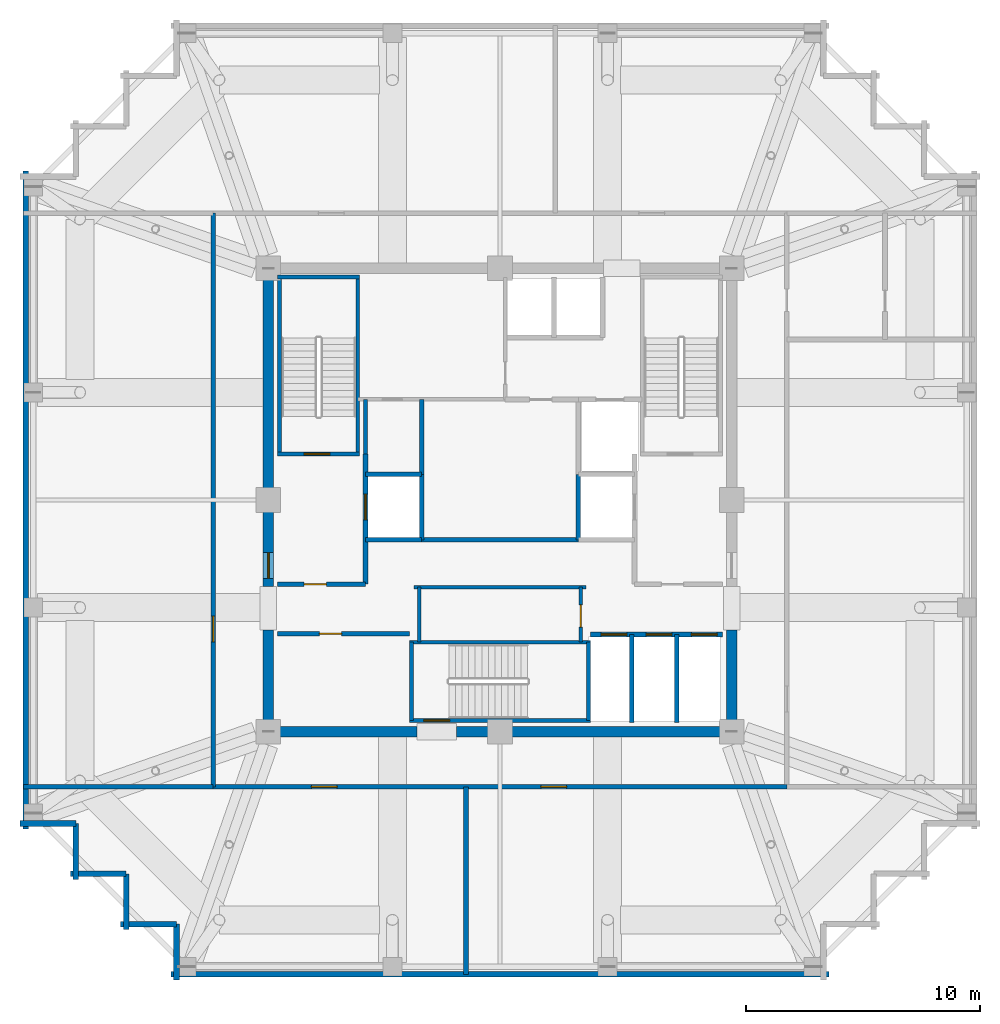
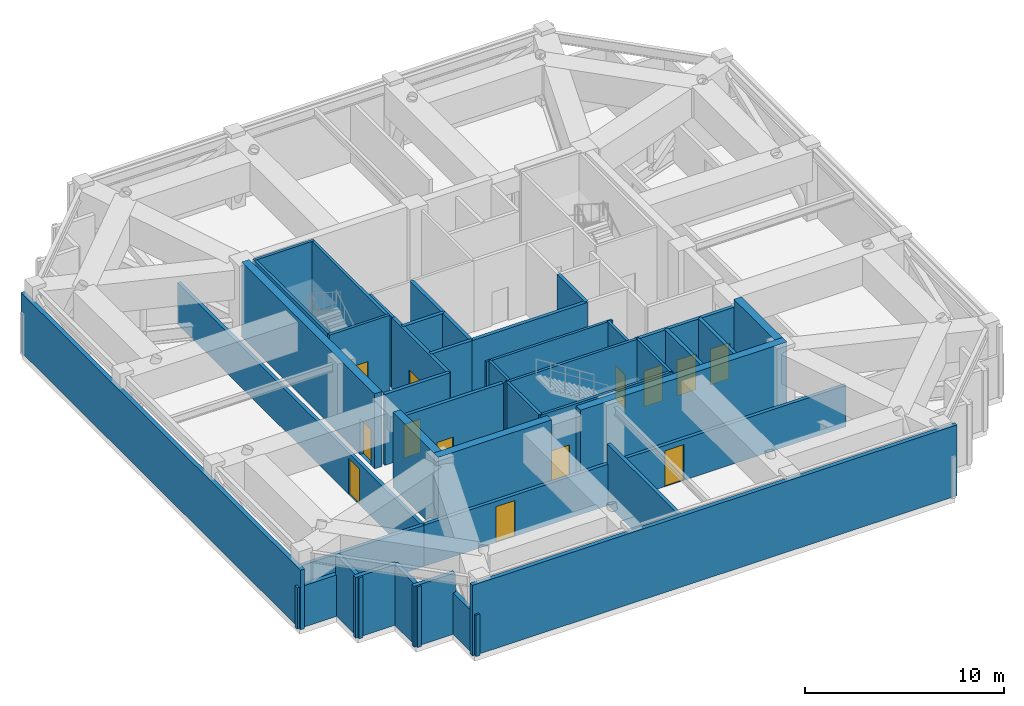
# One storey, part 11 of 14: 41 walls, 13 doors, 13 openings.
"""IFC4 building model written with IfcOpenShell, lengths in metres."""

import ifcopenshell
import ifcopenshell.guid

model = None  # the IFC model being written
_history = None  # IfcOwnerHistory: only IFC2X3 demands one
_inside = {}  # id of a spatial element -> (the spatial element, [elements in it])
_under = {}  # id of a project, library or spatial element -> (it, [spatial elements below it])
_declared = {}  # id of a project -> (the project, [libraries it declares])
_typed = {}  # id of a type object -> (the type object, [elements of that type])
_made_of = {}  # id of a material, layer set ... -> (it, [elements and type objects made of it])


def new_model(schema):
    """Start an empty IFC model of exactly this schema.

    Asked for "IFC4X3", IfcOpenShell would pick the latest addendum, in which some entities
    have other attributes; the version numbers below select the first issue.
    IFC2X3 requires an IfcOwnerHistory on every rooted entity: one is made here for all.
    """
    global model, _history
    if schema == "IFC4X3":
        model = ifcopenshell.file(schema_version=(4, 3, 0, 0))
    else:
        model = ifcopenshell.file(schema=schema)
    _inside.clear()
    _under.clear()
    _declared.clear()
    _typed.clear()
    _made_of.clear()
    _history = None
    if model.schema == "IFC2X3":
        org = make("IfcOrganization", Name="unknown")
        user = make(
            "IfcPersonAndOrganization",
            ThePerson=make("IfcPerson", FamilyName="unknown"),
            TheOrganization=org,
        )
        app = make(
            "IfcApplication",
            ApplicationDeveloper=org,
            Version="unknown",
            ApplicationFullName="unknown",
            ApplicationIdentifier="unknown",
        )
        _history = make(
            "IfcOwnerHistory",
            OwningUser=user,
            OwningApplication=app,
            ChangeAction="ADDED",
            CreationDate=0,
        )
    return model


def make(cls, **values):
    """One entity of the class cls with the attributes given. An attribute that is None is left unset."""
    return model.create_entity(
        cls, **{name: value for name, value in values.items() if value is not None}
    )


def rooted(cls, **values):
    """An entity with a GlobalId (a new one), such as an element, a storey or a relation."""
    return make(cls, GlobalId=ifcopenshell.guid.new(), OwnerHistory=_history, **values)


def si_unit(unit_type, name, prefix=None):
    """IfcSIUnit, for example si_unit("LENGTHUNIT", "METRE", prefix="MILLI")."""
    return make("IfcSIUnit", UnitType=unit_type, Prefix=prefix, Name=name)


def assignment(units):
    """IfcUnitAssignment: the units of a project."""
    return None if units is None else make("IfcUnitAssignment", Units=units)


def point(xyz):
    """IfcCartesianPoint."""
    return None if xyz is None else make("IfcCartesianPoint", Coordinates=xyz)


def direction(xyz):
    """IfcDirection."""
    return None if xyz is None else make("IfcDirection", DirectionRatios=xyz)


def frame(location, z_axis=None, x_axis=None):
    """IfcAxis2Placement3D, a coordinate frame: its origin and axes. An axis left out is left unset."""
    return make(
        "IfcAxis2Placement3D",
        Location=point(location),
        Axis=direction(z_axis),
        RefDirection=direction(x_axis),
    )


def frame_2d(location, x_axis=None):
    """IfcAxis2Placement2D, a coordinate frame in the plane: its origin and x axis."""
    return make(
        "IfcAxis2Placement2D", Location=point(location), RefDirection=direction(x_axis)
    )


def origin():
    """The frame at (0, 0, 0) with its axes left unset."""
    return frame((0.0, 0.0, 0.0))


def place(relative_to, where):
    """IfcLocalPlacement: puts the frame where relative to a parent placement (None: the world)."""
    return make(
        "IfcLocalPlacement", PlacementRelTo=relative_to, RelativePlacement=where
    )


def context(
    kind, dimensions, precision=None, world=None, true_north=None, identifier=None
):
    """IfcGeometricRepresentationContext, for example the 3D "Model" context."""
    return make(
        "IfcGeometricRepresentationContext",
        ContextIdentifier=identifier,
        ContextType=kind,
        CoordinateSpaceDimension=dimensions,
        Precision=precision,
        WorldCoordinateSystem=world,
        TrueNorth=true_north,
    )


def subcontext(parent, identifier, kind, view, scale=None):
    """IfcGeometricRepresentationSubContext, for example "Body" below "Model"."""
    return make(
        "IfcGeometricRepresentationSubContext",
        ContextIdentifier=identifier,
        ContextType=kind,
        ParentContext=parent,
        TargetScale=scale,
        TargetView=view,
    )


def project(units=None, contexts=None):
    """IfcProject with its units and contexts."""
    return rooted(
        "IfcProject",
        Name="project",
        RepresentationContexts=contexts,
        UnitsInContext=assignment(units),
    )


def spatial(cls, under=None, at=None, **own):
    """A site, building, storey or space (cls), placed at a placement, below another one or the project."""
    s = rooted(cls, ObjectPlacement=at, **own)
    if under is not None:
        _under.setdefault(under.id(), (under, []))[1].append(s)
    return s


def profile(cls, at=None, kind="AREA", **sizes):
    """A parametric profile (cls). Its sizes go by their IFC names, for example OverallWidth=200.0."""
    return make(cls, ProfileType=kind, Position=at, **sizes)


def rectangle(**sizes):
    """IfcRectangleProfileDef."""
    return profile("IfcRectangleProfileDef", **sizes)


def extrude(swept, where, along, depth):
    """IfcExtrudedAreaSolid: the profile swept, set in the frame where, extruded along a direction by depth."""
    return make(
        "IfcExtrudedAreaSolid",
        SweptArea=swept,
        Position=where,
        ExtrudedDirection=direction(along),
        Depth=depth,
    )


def shape(context_of_items, identifier, shape_type, items):
    """IfcShapeRepresentation: the items that make up one representation, for example the "Body"."""
    return make(
        "IfcShapeRepresentation",
        ContextOfItems=context_of_items,
        RepresentationIdentifier=identifier,
        RepresentationType=shape_type,
        Items=items,
    )


def material(Name=None, Category=None):
    """IfcMaterial."""
    return make("IfcMaterial", Name=Name, Category=Category)


def layer(
    of_material, thickness, ventilated=None, Name=None, Category=None, Priority=None
):
    """IfcMaterialLayer: one layer of a wall or slab, of a material (None: an air gap)."""
    return make(
        "IfcMaterialLayer",
        Material=of_material,
        LayerThickness=thickness,
        IsVentilated=ventilated,
        Name=Name,
        Category=Category,
        Priority=Priority,
    )


def layer_set(layers, Name=None):
    """IfcMaterialLayerSet."""
    return make("IfcMaterialLayerSet", MaterialLayers=layers, LayerSetName=Name)


def made_of(thing, what):
    """Note that an element or type object is made of a material, layer set ...; save() writes the relation."""
    if what is not None:
        _made_of.setdefault(what.id(), (what, []))[1].append(thing)
    return thing


def type_object(cls, material=None, **own):
    """A type object (cls), such as IfcWallType, which elements share."""
    return made_of(rooted(cls, **own), material)


def element(
    cls,
    number,
    at=None,
    inside=None,
    cuts=None,
    type_object=None,
    material=None,
    context=None,
    identifier="Body",
    shape_type=None,
    held_by="IfcProductDefinitionShape",
    body=None,
    shapes=None,
    **own,
):
    """One element of the class cls, such as IfcWall. Its Tag is "e" and its number.

    at: its placement. inside: the storey or other place that contains it. cuts: it is an
    opening in that element (IfcRelVoidsElement). A single representation is given by context,
    identifier, shape_type and body (its items); several are given by shapes. held_by: the class
    of the entity that holds the representations. save() writes the other relations.
    """
    e = rooted(cls, Tag="e%d" % number, ObjectPlacement=at, **own)
    if body is not None:
        shapes = [shape(context, identifier, shape_type, body)]
    if shapes is not None:
        e.Representation = make(held_by, Representations=shapes)
    if inside is not None:
        _inside.setdefault(inside.id(), (inside, []))[1].append(e)
    if cuts is not None:
        rooted(
            "IfcRelVoidsElement", RelatingBuildingElement=cuts, RelatedOpeningElement=e
        )
    if type_object is not None:
        _typed.setdefault(type_object.id(), (type_object, []))[1].append(e)
    return made_of(e, material)


def fill(opening, filler):
    """IfcRelFillsElement: the door or window that sits in an opening."""
    return rooted(
        "IfcRelFillsElement",
        RelatingOpeningElement=opening,
        RelatedBuildingElement=filler,
    )


def aggregate(whole, parts):
    """IfcRelAggregates: a whole, such as a stair, and the parts it consists of."""
    return rooted("IfcRelAggregates", RelatingObject=whole, RelatedObjects=parts)


def save(model, path):
    """Write the relations noted so far, then the file.

    IfcRelAggregates (storeys below a building ...), IfcRelContainedInSpatialStructure (elements
    in a storey), IfcRelDefinesByType, IfcRelAssociatesMaterial and IfcRelDeclares: one each for
    every whole, place, type object, material and project.
    """
    for whole, parts in _under.values():
        aggregate(whole, parts)
    for where, things in _inside.values():
        rooted(
            "IfcRelContainedInSpatialStructure",
            RelatedElements=things,
            RelatingStructure=where,
        )
    for kind, things in _typed.values():
        rooted("IfcRelDefinesByType", RelatedObjects=things, RelatingType=kind)
    for what, things in _made_of.values():
        rooted("IfcRelAssociatesMaterial", RelatedObjects=things, RelatingMaterial=what)
    for by, libraries in _declared.values():
        rooted("IfcRelDeclares", RelatingContext=by, RelatedDefinitions=libraries)
    model.write(path)


model = new_model("IFC4")

# Units and contexts
model_context = context("Model", 3, precision=1e-05, world=origin(), true_north=direction((0.0, 1.0)))
body_context = subcontext(model_context, "Body", "Model", "MODEL_VIEW")
ifc_project = project(units=[si_unit("LENGTHUNIT", "METRE"), si_unit("AREAUNIT", "SQUARE_METRE"), si_unit("VOLUMEUNIT", "CUBIC_METRE"), si_unit("PLANEANGLEUNIT", "RADIAN"), si_unit("MASSUNIT", "GRAM", prefix="KILO")], contexts=[model_context])

# Site, building, storey
site_placement = place(None, origin())
site = spatial("IfcSite", under=ifc_project, at=site_placement, CompositionType="ELEMENT")
building_placement = place(site_placement, origin())
building = spatial("IfcBuilding", under=site, at=building_placement, Name="Kolvaren Belvedere", CompositionType="ELEMENT")
storey_placement = place(building_placement, frame((0.0, 0.0, 232.800048828125)))
storey = spatial("IfcBuildingStorey", under=building, at=storey_placement, Name="L68", CompositionType="ELEMENT", Elevation=232.800048828125)

# Walls
ifc_material_1 = material(Name="Concrete C50/60", Category="concrete")
ifc_layer_1 = layer(ifc_material_1, 0.449951171875)
ifc_layer_set_1 = layer_set([ifc_layer_1], Name="Concrete C50/60")
wall_type_1 = type_object("IfcWallType", Name="CW-CORE-450", PredefinedType="SHEAR", material=ifc_layer_set_1)
wall_1_placement = place(storey_placement, frame((10.125, -9.89990234375, 0.0), z_axis=(0.0, 0.0, 1.0), x_axis=(-1.0, 0.0, 0.0)))
element("IfcWall", 1, at=wall_1_placement, inside=storey, type_object=wall_type_1, Name="L68 South Core Shear Wall 1", PredefinedType="SHEAR", context=body_context, shape_type="SweptSolid", body=[
    extrude(rectangle(XDim=11.985107421875, YDim=0.449951171875, at=frame_2d((5.99267578125, 0.0))), origin(), (0.0, 0.0, 1.0), 4.599853515625),
])
wall_2_placement = place(storey_placement, frame((-3.5400390625, -9.89990234375, 0.0), z_axis=(0.0, 0.0, 1.0), x_axis=(-1.0, 0.0, 0.0)))
element("IfcWall", 2, at=wall_2_placement, inside=storey, type_object=wall_type_1, Name="L68 South Core Shear Wall 2", PredefinedType="SHEAR", context=body_context, shape_type="SweptSolid", body=[
    extrude(rectangle(XDim=6.5849609375, YDim=0.449951171875, at=frame_2d((3.29248046875, 0.0))), origin(), (0.0, 0.0, 1.0), 4.599853515625),
])
for number, where, z_axis, x_axis, name in (
    (3, (-9.89990234375, -9.675048828125, 0.0), (0.0, 0.0, 1.0), (0.0, 1.0, 0.0), "L68 West Core Shear Wall 1"),
    (4, (9.89990234375, -9.675048828125, 0.0), (0.0, 0.0, 1.0), (0.0, 1.0, 0.0), "L68 East Core Shear Wall 1"),
):
    element("IfcWall", number, at=place(storey_placement, frame(where, z_axis=z_axis, x_axis=x_axis)), inside=storey, type_object=wall_type_1, Name=name, PredefinedType="SHEAR", context=body_context, shape_type="SweptSolid", body=[
        extrude(rectangle(XDim=4.125, YDim=0.449951171875, at=frame_2d((2.0625, 0.0))), origin(), (0.0, 0.0, 1.0), 4.599853515625),
    ])

# Wall, opening, door
wall_3_placement = place(storey_placement, frame((-9.89990234375, -3.699951171875, 0.0), z_axis=(0.0, 0.0, 1.0), x_axis=(0.0, 1.0, 0.0)))
wall_3 = element("IfcWall", 5, at=wall_3_placement, inside=storey, type_object=wall_type_1, Name="L68 West Core Shear Wall 2", PredefinedType="SHEAR", context=body_context, shape_type="SweptSolid", body=[
    extrude(rectangle(XDim=13.375, YDim=0.449951171875, at=frame_2d((6.6875, 0.0))), origin(), (0.0, 0.0, 1.0), 4.599853515625),
])
opening_1_placement = place(wall_3_placement, frame((0.35009765625, 0.0, 0.0)))
opening_1 = element("IfcOpeningElement", 6, at=opening_1_placement, cuts=wall_3, Name="Opening D-FD90", PredefinedType="OPENING", context=body_context, shape_type="SweptSolid", body=[
    extrude(rectangle(XDim=1.10009765625, YDim=2.199951171875, at=frame_2d((0.550048828125, 1.10009765625))), frame((0.0, 0.23486328125, 0.0), z_axis=(0.0, -1.0, 0.0), x_axis=(1.0, 0.0, 0.0)), (0.0, 0.0, 1.0), 0.469970703125),
])
ifc_material_2 = material(Name="Painted hollow stainless steel", Category="steel")
door_type_1 = type_object("IfcDoorType", Name="DR-FD90-1100", OperationType="NOTDEFINED", PredefinedType="DOOR", material=ifc_material_2)
door_1_placement = place(opening_1_placement, origin())
door_1 = element("IfcDoor", 7, at=door_1_placement, inside=storey, type_object=door_type_1, Name="L68 West Firefighting Lobby Fire Door", OperationType="SINGLE_SWING_LEFT", OverallHeight=2.199951171875, OverallWidth=1.10009765625, PredefinedType="DOOR", context=body_context, shape_type="SweptSolid", body=[
    extrude(rectangle(XDim=1.10009765625, YDim=2.199951171875, at=frame_2d((0.550048828125, 1.10009765625))), frame((0.0, 0.02490234375, 0.0), z_axis=(0.0, -1.0, 0.0), x_axis=(1.0, 0.0, 0.0)), (0.0, 0.0, 1.0), 0.050048828125),
])
fill(opening_1, door_1)

ifc_material_3 = material(Name="Concrete C50/60", Category="concrete")
ifc_layer_2 = layer(ifc_material_3, 0.159912109375)
ifc_layer_set_2 = layer_set([ifc_layer_2], Name="Concrete C50/60")
wall_type_2 = type_object("IfcWallType", Name="CW-STAIR-160", PredefinedType="SHEAR", material=ifc_layer_set_2)
wall_4_placement = place(storey_placement, frame((-9.52001953125, 1.969970703125, 0.0), z_axis=(0.0, 0.0, 1.0), x_axis=(1.0, 0.0, 0.0)))
wall_4 = element("IfcWall", 8, at=wall_4_placement, inside=storey, type_object=wall_type_2, Name="L68 Stair ST-1 South Shear Wall", PredefinedType="SHEAR", context=body_context, shape_type="SweptSolid", body=[
    extrude(rectangle(XDim=3.52001953125, YDim=0.159912109375, at=frame_2d((1.760009765625, 0.0))), origin(), (0.0, 0.0, 1.0), 4.599853515625),
])
opening_2_placement = place(wall_4_placement, frame((1.14990234375, 0.0, 0.0)))
opening_2 = element("IfcOpeningElement", 9, at=opening_2_placement, cuts=wall_4, Name="Opening D-FD90", PredefinedType="OPENING", context=body_context, shape_type="SweptSolid", body=[
    extrude(rectangle(XDim=1.10009765625, YDim=2.199951171875, at=frame_2d((0.550048828125, 1.10009765625))), frame((0.0, 0.08984375, 0.0), z_axis=(0.0, -1.0, 0.0), x_axis=(1.0, 0.0, 0.0)), (0.0, 0.0, 1.0), 0.179931640625),
])
door_2_placement = place(opening_2_placement, origin())
door_2 = element("IfcDoor", 10, at=door_2_placement, inside=storey, type_object=door_type_1, Name="L68 Stair ST-1 Fire Door", OperationType="SINGLE_SWING_LEFT", OverallHeight=2.199951171875, OverallWidth=1.10009765625, PredefinedType="DOOR", context=body_context, shape_type="SweptSolid", body=[
    extrude(rectangle(XDim=1.10009765625, YDim=2.199951171875, at=frame_2d((0.550048828125, 1.10009765625))), frame((0.0, 0.02490234375, 0.0), z_axis=(0.0, -1.0, 0.0), x_axis=(1.0, 0.0, 0.0)), (0.0, 0.0, 1.0), 0.050048828125),
])
fill(opening_2, door_2)

# Walls
wall_5_placement = place(storey_placement, frame((-9.52001953125, 9.530029296875, 0.0), z_axis=(0.0, 0.0, 1.0), x_axis=(1.0, 0.0, 0.0)))
element("IfcWall", 11, at=wall_5_placement, inside=storey, type_object=wall_type_2, Name="L68 Stair ST-1 North Shear Wall", PredefinedType="SHEAR", context=body_context, shape_type="SweptSolid", body=[
    extrude(rectangle(XDim=3.52001953125, YDim=0.159912109375, at=frame_2d((1.760009765625, 0.0))), origin(), (0.0, 0.0, 1.0), 4.599853515625),
])
for number, where, z_axis, x_axis, name in (
    (12, (-9.429931640625, 1.969970703125, 0.0), (0.0, 0.0, 1.0), (0.0, 1.0, 0.0), "L68 Stair ST-1 West Shear Wall"),
    (13, (-6.080078125, 1.969970703125, 0.0), (0.0, 0.0, 1.0), (0.0, 1.0, 0.0), "L68 Stair ST-1 East Shear Wall"),
):
    element("IfcWall", number, at=place(storey_placement, frame(where, z_axis=z_axis, x_axis=x_axis)), inside=storey, type_object=wall_type_2, Name=name, PredefinedType="SHEAR", context=body_context, shape_type="SweptSolid", body=[
        extrude(rectangle(XDim=7.56005859375, YDim=0.159912109375, at=frame_2d((3.780029296875, 0.0))), origin(), (0.0, 0.0, 1.0), 4.599853515625),
    ])

# Wall, opening, door
wall_6_placement = place(storey_placement, frame((3.860107421875, -9.429931640625, 0.0), z_axis=(0.0, 0.0, 1.0), x_axis=(-1.0, 0.0, 0.0)))
wall_6 = element("IfcWall", 14, at=wall_6_placement, inside=storey, type_object=wall_type_2, Name="L68 Stair ST-3 South Shear Wall", PredefinedType="SHEAR", context=body_context, shape_type="SweptSolid", body=[
    extrude(rectangle(XDim=7.72021484375, YDim=0.159912109375, at=frame_2d((3.860107421875, 0.0))), origin(), (0.0, 0.0, 1.0), 4.599853515625),
])
opening_3_placement = place(wall_6_placement, frame((6.010009765625, 0.0, 0.0)))
opening_3 = element("IfcOpeningElement", 15, at=opening_3_placement, cuts=wall_6, Name="Opening D-FD90", PredefinedType="OPENING", context=body_context, shape_type="SweptSolid", body=[
    extrude(rectangle(XDim=1.10009765625, YDim=2.199951171875, at=frame_2d((0.550048828125, 1.10009765625))), frame((0.0, 0.08984375, 0.0), z_axis=(0.0, -1.0, 0.0), x_axis=(1.0, 0.0, 0.0)), (0.0, 0.0, 1.0), 0.179931640625),
])
door_3_placement = place(opening_3_placement, origin())
door_3 = element("IfcDoor", 16, at=door_3_placement, inside=storey, type_object=door_type_1, Name="L68 Stair ST-3 Exit Door", OperationType="SINGLE_SWING_RIGHT", OverallHeight=2.199951171875, OverallWidth=1.10009765625, PredefinedType="DOOR", context=body_context, shape_type="SweptSolid", body=[
    extrude(rectangle(XDim=1.10009765625, YDim=2.199951171875, at=frame_2d((0.550048828125, 1.10009765625))), frame((0.0, 0.02490234375, 0.0), z_axis=(0.0, -1.0, 0.0), x_axis=(1.0, 0.0, 0.0)), (0.0, 0.0, 1.0), 0.050048828125),
])
fill(opening_3, door_3)

# Walls
wall_7_placement = place(storey_placement, frame((-3.860107421875, -6.080078125, 0.0), z_axis=(0.0, 0.0, 1.0), x_axis=(1.0, 0.0, 0.0)))
element("IfcWall", 17, at=wall_7_placement, inside=storey, type_object=wall_type_2, Name="L68 Stair ST-3 North Shear Wall", PredefinedType="SHEAR", context=body_context, shape_type="SweptSolid", body=[
    extrude(rectangle(XDim=7.72021484375, YDim=0.159912109375, at=frame_2d((3.860107421875, 0.0))), origin(), (0.0, 0.0, 1.0), 4.599853515625),
])
for number, where, z_axis, x_axis, name in (
    (18, (-3.780029296875, -9.429931640625, 0.0), (0.0, 0.0, 1.0), (0.0, 1.0, 0.0), "L68 Stair ST-3 West Shear Wall"),
    (19, (3.780029296875, -9.429931640625, 0.0), (0.0, 0.0, 1.0), (0.0, 1.0, 0.0), "L68 Stair ST-3 East Shear Wall"),
):
    element("IfcWall", number, at=place(storey_placement, frame(where, z_axis=z_axis, x_axis=x_axis)), inside=storey, type_object=wall_type_2, Name=name, PredefinedType="SHEAR", context=body_context, shape_type="SweptSolid", body=[
        extrude(rectangle(XDim=3.349853515625, YDim=0.159912109375, at=frame_2d((1.6748046875, 0.0))), origin(), (0.0, 0.0, 1.0), 4.599853515625),
    ])
ifc_material_4 = material(Name="Insulated acoustic pale-metal louvre wall", Category="aluminium")
ifc_layer_3 = layer(ifc_material_4, 0.239990234375)
ifc_layer_set_3 = layer_set([ifc_layer_3], Name="Insulated acoustic pale-metal louvre wall")
wall_type_3 = type_object("IfcWallType", Name="WL-LOUV-240", PredefinedType="STANDARD", material=ifc_layer_set_3)
wall_8_placement = place(storey_placement, frame((14.070068359375, -20.280029296875, 0.0), z_axis=(0.0, 0.0, 1.0), x_axis=(-1.0, 0.0, 0.0)))
element("IfcWall", 20, at=wall_8_placement, inside=storey, type_object=wall_type_3, Name="L68 Acoustic Louvre Facade Wall 1", PredefinedType="STANDARD", context=body_context, shape_type="SweptSolid", body=[
    extrude(rectangle(XDim=28.14013671875, YDim=0.239990234375, at=frame_2d((14.070068359375, 0.0))), origin(), (0.0, 0.0, 1.0), 4.349853515625),
])
wall_9_placement = place(storey_placement, frame((-20.280029296875, -14.070068359375, 0.0), z_axis=(0.0, 0.0, 1.0), x_axis=(0.0, 1.0, 0.0)))
element("IfcWall", 21, at=wall_9_placement, inside=storey, type_object=wall_type_3, Name="L68 Acoustic Louvre Facade Wall 22", PredefinedType="STANDARD", context=body_context, shape_type="SweptSolid", body=[
    extrude(rectangle(XDim=28.14013671875, YDim=0.239990234375, at=frame_2d((14.070068359375, 0.0))), origin(), (0.0, 0.0, 1.0), 3.64892578125),
])
wall_10_placement = place(storey_placement, frame((-18.1298828125, -13.830078125, 0.0), z_axis=(0.0, 0.0, 1.0), x_axis=(-1.0, 0.0, 0.0)))
element("IfcWall", 22, at=wall_10_placement, inside=storey, type_object=wall_type_3, Name="L68 Acoustic Louvre Facade Wall 23", PredefinedType="STANDARD", context=body_context, shape_type="SweptSolid", body=[
    extrude(rectangle(XDim=2.39013671875, YDim=0.239990234375, at=frame_2d((1.195068359375, 0.0))), origin(), (0.0, 0.0, 1.0), 2.544921875),
])
wall_11_placement = place(storey_placement, frame((-18.1298828125, -16.219970703125, 0.0), z_axis=(0.0, 0.0, 1.0), x_axis=(0.0, 1.0, 0.0)))
element("IfcWall", 23, at=wall_11_placement, inside=storey, type_object=wall_type_3, Name="L68 Acoustic Louvre Facade Wall 24", PredefinedType="STANDARD", context=body_context, shape_type="SweptSolid", body=[
    extrude(rectangle(XDim=2.389892578125, YDim=0.239990234375, at=frame_2d((1.19482421875, 0.0))), origin(), (0.0, 0.0, 1.0), 3.73291015625),
])
for number, where, z_axis, x_axis, name in (
    (24, (-15.97998046875, -15.97998046875, 0.0), (0.0, 0.0, 1.0), (-1.0, 0.0, 0.0), "L68 Acoustic Louvre Facade Wall 25"),
    (25, (-15.97998046875, -18.3701171875, 0.0), (0.0, 0.0, 1.0), (0.0, 1.0, 0.0), "L68 Acoustic Louvre Facade Wall 26"),
):
    element("IfcWall", number, at=place(storey_placement, frame(where, z_axis=z_axis, x_axis=x_axis)), inside=storey, type_object=wall_type_3, Name=name, PredefinedType="STANDARD", context=body_context, shape_type="SweptSolid", body=[
        extrude(rectangle(XDim=2.39013671875, YDim=0.239990234375, at=frame_2d((1.195068359375, 0.0))), origin(), (0.0, 0.0, 1.0), 3.73291015625),
    ])
wall_12_placement = place(storey_placement, frame((-13.830078125, -18.1298828125, 0.0), z_axis=(0.0, 0.0, 1.0), x_axis=(-1.0, 0.0, 0.0)))
element("IfcWall", 26, at=wall_12_placement, inside=storey, type_object=wall_type_3, Name="L68 Acoustic Louvre Facade Wall 27", PredefinedType="STANDARD", context=body_context, shape_type="SweptSolid", body=[
    extrude(rectangle(XDim=2.389892578125, YDim=0.239990234375, at=frame_2d((1.19482421875, 0.0))), origin(), (0.0, 0.0, 1.0), 3.73291015625),
])
wall_13_placement = place(storey_placement, frame((-13.830078125, -20.52001953125, 0.0), z_axis=(0.0, 0.0, 1.0), x_axis=(0.0, 1.0, 0.0)))
element("IfcWall", 27, at=wall_13_placement, inside=storey, type_object=wall_type_3, Name="L68 Acoustic Louvre Facade Wall 28", PredefinedType="STANDARD", context=body_context, shape_type="SweptSolid", body=[
    extrude(rectangle(XDim=2.39013671875, YDim=0.239990234375, at=frame_2d((1.195068359375, 0.0))), origin(), (0.0, 0.0, 1.0), 2.544921875),
])
ifc_material_5 = material(Name="Gypsum acoustic partition assembly", Category="gypsum")
ifc_layer_4 = layer(ifc_material_5, 0.14990234375)
ifc_layer_set_4 = layer_set([ifc_layer_4], Name="Gypsum acoustic partition assembly")
wall_type_4 = type_object("IfcWallType", Name="WL-PART-150", PredefinedType="PARTITIONING", material=ifc_layer_set_4)
wall_14_placement = place(storey_placement, frame((-3.679931640625, -3.719970703125, 0.0), z_axis=(0.0, 0.0, 1.0), x_axis=(1.0, 0.0, 0.0)))
element("IfcWall", 28, at=wall_14_placement, inside=storey, type_object=wall_type_4, Name="L68 South Core Service North Wall", PredefinedType="PARTITIONING", context=body_context, shape_type="SweptSolid", body=[
    extrude(rectangle(XDim=7.35986328125, YDim=0.14990234375, at=frame_2d((3.679931640625, 0.0))), origin(), (0.0, 0.0, 1.0), 4.349853515625),
])

# Wall, opening, door
wall_15_placement = place(storey_placement, frame((3.449951171875, -6.080078125, 0.0), z_axis=(0.0, 0.0, 1.0), x_axis=(0.0, 1.0, 0.0)))
wall_15 = element("IfcWall", 29, at=wall_15_placement, inside=storey, type_object=wall_type_4, Name="L68 South Core Service East Wall", PredefinedType="PARTITIONING", context=body_context, shape_type="SweptSolid", body=[
    extrude(rectangle(XDim=2.360107421875, YDim=0.14990234375, at=frame_2d((1.18017578125, 0.0))), origin(), (0.0, 0.0, 1.0), 4.349853515625),
])
opening_4_placement = place(wall_15_placement, frame((0.64990234375, 0.0, 0.0)))
opening_4 = element("IfcOpeningElement", 30, at=opening_4_placement, cuts=wall_15, Name="Opening D-FD60", PredefinedType="OPENING", context=body_context, shape_type="SweptSolid", body=[
    extrude(rectangle(XDim=0.949951171875, YDim=2.06005859375, at=frame_2d((0.47509765625, 1.030029296875))), frame((0.0, 0.0849609375, 0.0), z_axis=(0.0, -1.0, 0.0), x_axis=(1.0, 0.0, 0.0)), (0.0, 0.0, 1.0), 0.169921875),
])
ifc_material_6 = material(Name="Acoustic white-oak fire door leaf", Category="timber")
door_type_2 = type_object("IfcDoorType", Name="DR-FD60-950", OperationType="NOTDEFINED", PredefinedType="DOOR", material=ifc_material_6)
door_4_placement = place(opening_4_placement, origin())
door_4 = element("IfcDoor", 31, at=door_4_placement, inside=storey, type_object=door_type_2, Name="L68 Core Service Room Door", OperationType="SINGLE_SWING_LEFT", OverallHeight=2.06005859375, OverallWidth=0.949951171875, PredefinedType="DOOR", context=body_context, shape_type="SweptSolid", body=[
    extrude(rectangle(XDim=0.949951171875, YDim=2.06005859375, at=frame_2d((0.47509765625, 1.030029296875))), frame((0.0, 0.02490234375, 0.0), z_axis=(0.0, -1.0, 0.0), x_axis=(1.0, 0.0, 0.0)), (0.0, 0.0, 1.0), 0.050048828125),
])
fill(opening_4, door_4)

# Walls
wall_16_placement = place(storey_placement, frame((-3.449951171875, -6.080078125, 0.0), z_axis=(0.0, 0.0, 1.0), x_axis=(0.0, 1.0, 0.0)))
element("IfcWall", 32, at=wall_16_placement, inside=storey, type_object=wall_type_4, Name="L68 South Core Service West Wall", PredefinedType="PARTITIONING", context=body_context, shape_type="SweptSolid", body=[
    extrude(rectangle(XDim=2.360107421875, YDim=0.14990234375, at=frame_2d((1.18017578125, 0.0))), origin(), (0.0, 0.0, 1.0), 4.349853515625),
])
wall_17_placement = place(storey_placement, frame((-5.75, 1.969970703125, 0.0), z_axis=(0.0, 0.0, 1.0), x_axis=(0.0, 1.0, 0.0)))
element("IfcWall", 33, at=wall_17_placement, inside=storey, type_object=wall_type_4, Name="L68 NW Service Room West Wall", PredefinedType="PARTITIONING", context=body_context, shape_type="SweptSolid", body=[
    extrude(rectangle(XDim=2.330078125, YDim=0.14990234375, at=frame_2d((1.1650390625, 0.0))), origin(), (0.0, 0.0, 1.0), 4.349853515625),
])

# Wall, opening, door
ifc_material_7 = material(Name="Concrete C50/60", Category="concrete")
ifc_layer_5 = layer(ifc_material_7, 0.199951171875)
ifc_layer_set_5 = layer_set([ifc_layer_5], Name="Concrete C50/60")
wall_type_5 = type_object("IfcWallType", Name="WL-SHAFT-200", PredefinedType="SOLIDWALL", material=ifc_layer_set_5)
wall_18_placement = place(storey_placement, frame((-9.52001953125, -3.60009765625, 0.0), z_axis=(0.0, 0.0, 1.0), x_axis=(1.0, 0.0, 0.0)))
wall_18 = element("IfcWall", 34, at=wall_18_placement, inside=storey, type_object=wall_type_5, Name="L68 West FSAE Lobby South Wall", PredefinedType="SOLIDWALL", context=body_context, shape_type="SweptSolid", body=[
    extrude(rectangle(XDim=3.77001953125, YDim=0.199951171875, at=frame_2d((1.885009765625, 0.0))), origin(), (0.0, 0.0, 1.0), 4.349853515625),
])
opening_5_placement = place(wall_18_placement, frame((1.14990234375, 0.0, 0.0)))
opening_5 = element("IfcOpeningElement", 35, at=opening_5_placement, cuts=wall_18, Name="Opening D-FD60", PredefinedType="OPENING", context=body_context, shape_type="SweptSolid", body=[
    extrude(rectangle(XDim=0.949951171875, YDim=2.06005859375, at=frame_2d((0.47509765625, 1.030029296875))), frame((0.0, 0.10986328125, 0.0), z_axis=(0.0, -1.0, 0.0), x_axis=(1.0, 0.0, 0.0)), (0.0, 0.0, 1.0), 0.219970703125),
])
door_5_placement = place(opening_5_placement, origin())
door_5 = element("IfcDoor", 36, at=door_5_placement, inside=storey, type_object=door_type_2, Name="L68 SW Lobby Fire Door", OperationType="SINGLE_SWING_LEFT", OverallHeight=2.06005859375, OverallWidth=0.949951171875, PredefinedType="DOOR", context=body_context, shape_type="SweptSolid", body=[
    extrude(rectangle(XDim=0.949951171875, YDim=2.06005859375, at=frame_2d((0.47509765625, 1.030029296875))), frame((0.0, 0.02490234375, 0.0), z_axis=(0.0, -1.0, 0.0), x_axis=(1.0, 0.0, 0.0)), (0.0, 0.0, 1.0), 0.050048828125),
])
fill(opening_5, door_5)

wall_19_placement = place(storey_placement, frame((-5.75, -3.60009765625, 0.0), z_axis=(0.0, 0.0, 1.0), x_axis=(0.0, 1.0, 0.0)))
wall_19 = element("IfcWall", 37, at=wall_19_placement, inside=storey, type_object=wall_type_5, Name="L68 FSAE FS1 Landing Wall", PredefinedType="SOLIDWALL", context=body_context, shape_type="SweptSolid", body=[
    extrude(rectangle(XDim=5.570068359375, YDim=0.199951171875, at=frame_2d((2.78515625, 0.0))), origin(), (0.0, 0.0, 1.0), 4.349853515625),
])
opening_6_placement = place(wall_19_placement, frame((2.75, 0.0, 0.0)))
opening_6 = element("IfcOpeningElement", 38, at=opening_6_placement, cuts=wall_19, Name="Opening LD-11", PredefinedType="OPENING", context=body_context, shape_type="SweptSolid", body=[
    extrude(rectangle(XDim=1.10009765625, YDim=2.199951171875, at=frame_2d((0.550048828125, 1.10009765625))), frame((0.0, 0.10986328125, 0.0), z_axis=(0.0, -1.0, 0.0), x_axis=(1.0, 0.0, 0.0)), (0.0, 0.0, 1.0), 0.219970703125),
])
ifc_material_8 = material(Name="Brushed stainless steel", Category="steel")
door_type_3 = type_object("IfcDoorType", Name="DR-LIFT-1100", OperationType="DOUBLE_DOOR_SLIDING", PredefinedType="DOOR", material=ifc_material_8)
door_6_placement = place(opening_6_placement, origin())
door_6 = element("IfcDoor", 39, at=door_6_placement, inside=storey, type_object=door_type_3, Name="L68 Firefighting Lift FS1 Landing Door", OperationType="DOUBLE_DOOR_SLIDING", OverallHeight=2.199951171875, OverallWidth=1.10009765625, PredefinedType="DOOR", context=body_context, shape_type="SweptSolid", body=[
    extrude(rectangle(XDim=1.10009765625, YDim=2.199951171875, at=frame_2d((0.550048828125, 1.10009765625))), frame((0.0, 0.02490234375, 0.0), z_axis=(0.0, -1.0, 0.0), x_axis=(1.0, 0.0, 0.0)), (0.0, 0.0, 1.0), 0.050048828125),
])
fill(opening_6, door_6)

# Walls
wall_20_placement = place(storey_placement, frame((-3.35009765625, -1.699951171875, 0.0), z_axis=(0.0, 0.0, 1.0), x_axis=(0.0, 1.0, 0.0)))
element("IfcWall", 40, at=wall_20_placement, inside=storey, type_object=wall_type_5, Name="L68 FSAE FS1 Back Wall", PredefinedType="SOLIDWALL", context=body_context, shape_type="SweptSolid", body=[
    extrude(rectangle(XDim=2.800048828125, YDim=0.199951171875, at=frame_2d((1.39990234375, 0.0))), origin(), (0.0, 0.0, 1.0), 4.349853515625),
])
for number, where, z_axis, x_axis, name in (
    (41, (-5.75, -1.699951171875, 0.0), (0.0, 0.0, 1.0), (1.0, 0.0, 0.0), "L68 FSAE FS1 South Wall"),
    (42, (-5.75, 1.10009765625, 0.0), (0.0, 0.0, 1.0), (1.0, 0.0, 0.0), "L68 FSAE FS1 North Wall"),
):
    element("IfcWall", number, at=place(storey_placement, frame(where, z_axis=z_axis, x_axis=x_axis)), inside=storey, type_object=wall_type_5, Name=name, PredefinedType="SOLIDWALL", context=body_context, shape_type="SweptSolid", body=[
        extrude(rectangle(XDim=2.39990234375, YDim=0.199951171875, at=frame_2d((1.199951171875, 0.0))), origin(), (0.0, 0.0, 1.0), 4.349853515625),
    ])
wall_21_placement = place(storey_placement, frame((3.35009765625, -1.699951171875, 0.0), z_axis=(0.0, 0.0, 1.0), x_axis=(0.0, 1.0, 0.0)))
element("IfcWall", 43, at=wall_21_placement, inside=storey, type_object=wall_type_5, Name="L68 FSAE FS2 Back Wall", PredefinedType="SOLIDWALL", context=body_context, shape_type="SweptSolid", body=[
    extrude(rectangle(XDim=2.800048828125, YDim=0.199951171875, at=frame_2d((1.39990234375, 0.0))), origin(), (0.0, 0.0, 1.0), 4.349853515625),
])

# Wall, opening, door
wall_22_placement = place(storey_placement, frame((-9.52001953125, -5.719970703125, 0.0), z_axis=(0.0, 0.0, 1.0), x_axis=(1.0, 0.0, 0.0)))
wall_22 = element("IfcWall", 44, at=wall_22_placement, inside=storey, type_object=wall_type_5, Name="L68 Reclaimed Mid Room North Wall", PredefinedType="SOLIDWALL", context=body_context, shape_type="SweptSolid", body=[
    extrude(rectangle(XDim=5.659912109375, YDim=0.199951171875, at=frame_2d((2.830078125, 0.0))), origin(), (0.0, 0.0, 1.0), 4.349853515625),
])
opening_7_placement = place(wall_22_placement, frame((1.800048828125, 0.0, 0.0)))
opening_7 = element("IfcOpeningElement", 45, at=opening_7_placement, cuts=wall_22, Name="Opening D-FD60", PredefinedType="OPENING", context=body_context, shape_type="SweptSolid", body=[
    extrude(rectangle(XDim=0.949951171875, YDim=2.06005859375, at=frame_2d((0.47509765625, 1.030029296875))), frame((0.0, 0.10986328125, 0.0), z_axis=(0.0, -1.0, 0.0), x_axis=(1.0, 0.0, 0.0)), (0.0, 0.0, 1.0), 0.219970703125),
])
door_7_placement = place(opening_7_placement, origin())
door_7 = element("IfcDoor", 46, at=door_7_placement, inside=storey, type_object=door_type_2, Name="L68 Smoke Control Mechanical Plant Entry Door", OperationType="SINGLE_SWING_LEFT", OverallHeight=2.06005859375, OverallWidth=0.949951171875, PredefinedType="DOOR", context=body_context, shape_type="SweptSolid", body=[
    extrude(rectangle(XDim=0.949951171875, YDim=2.06005859375, at=frame_2d((0.47509765625, 1.030029296875))), frame((0.0, 0.02490234375, 0.0), z_axis=(0.0, -1.0, 0.0), x_axis=(1.0, 0.0, 0.0)), (0.0, 0.0, 1.0), 0.050048828125),
])
fill(opening_7, door_7)

# Wall, openings, doors
wall_23_placement = place(storey_placement, frame((3.860107421875, -5.75, 0.0), z_axis=(0.0, 0.0, 1.0), x_axis=(1.0, 0.0, 0.0)))
wall_23 = element("IfcWall", 47, at=wall_23_placement, inside=storey, type_object=wall_type_5, Name="L68 High-Rise Lift Bank Front Wall", PredefinedType="SOLIDWALL", context=body_context, shape_type="SweptSolid", body=[
    extrude(rectangle(XDim=5.659912109375, YDim=0.199951171875, at=frame_2d((2.830078125, 0.0))), origin(), (0.0, 0.0, 1.0), 4.349853515625),
])
opening_8_placement = place(wall_23_placement, frame((0.4599609375, 0.0, 0.0)))
opening_8 = element("IfcOpeningElement", 48, at=opening_8_placement, cuts=wall_23, Name="Opening LD-11", PredefinedType="OPENING", context=body_context, shape_type="SweptSolid", body=[
    extrude(rectangle(XDim=1.10009765625, YDim=2.199951171875, at=frame_2d((0.550048828125, 1.10009765625))), frame((0.0, 0.10986328125, 0.0), z_axis=(0.0, -1.0, 0.0), x_axis=(1.0, 0.0, 0.0)), (0.0, 0.0, 1.0), 0.219970703125),
])
opening_9_placement = place(wall_23_placement, frame((2.389892578125, 0.0, 0.0)))
opening_9 = element("IfcOpeningElement", 49, at=opening_9_placement, cuts=wall_23, Name="Opening LD-11", PredefinedType="OPENING", context=body_context, shape_type="SweptSolid", body=[
    extrude(rectangle(XDim=1.10009765625, YDim=2.199951171875, at=frame_2d((0.550048828125, 1.10009765625))), frame((0.0, 0.10986328125, 0.0), z_axis=(0.0, -1.0, 0.0), x_axis=(1.0, 0.0, 0.0)), (0.0, 0.0, 1.0), 0.219970703125),
])
opening_10_placement = place(wall_23_placement, frame((4.320068359375, 0.0, 0.0)))
opening_10 = element("IfcOpeningElement", 50, at=opening_10_placement, cuts=wall_23, Name="Opening LD-11", PredefinedType="OPENING", context=body_context, shape_type="SweptSolid", body=[
    extrude(rectangle(XDim=1.10009765625, YDim=2.199951171875, at=frame_2d((0.550048828125, 1.10009765625))), frame((0.0, 0.10986328125, 0.0), z_axis=(0.0, -1.0, 0.0), x_axis=(1.0, 0.0, 0.0)), (0.0, 0.0, 1.0), 0.219970703125),
])
door_8_placement = place(opening_8_placement, origin())
door_8 = element("IfcDoor", 51, at=door_8_placement, inside=storey, type_object=door_type_3, Name="L68 Passenger Lift P7 Landing Door", OperationType="DOUBLE_DOOR_SLIDING", OverallHeight=2.199951171875, OverallWidth=1.10009765625, PredefinedType="DOOR", context=body_context, shape_type="SweptSolid", body=[
    extrude(rectangle(XDim=1.10009765625, YDim=2.199951171875, at=frame_2d((0.550048828125, 1.10009765625))), frame((0.0, 0.02490234375, 0.0), z_axis=(0.0, -1.0, 0.0), x_axis=(1.0, 0.0, 0.0)), (0.0, 0.0, 1.0), 0.050048828125),
])
fill(opening_8, door_8)
door_9_placement = place(opening_9_placement, origin())
door_9 = element("IfcDoor", 52, at=door_9_placement, inside=storey, type_object=door_type_3, Name="L68 Passenger Lift P8 Landing Door", OperationType="DOUBLE_DOOR_SLIDING", OverallHeight=2.199951171875, OverallWidth=1.10009765625, PredefinedType="DOOR", context=body_context, shape_type="SweptSolid", body=[
    extrude(rectangle(XDim=1.10009765625, YDim=2.199951171875, at=frame_2d((0.550048828125, 1.10009765625))), frame((0.0, 0.02490234375, 0.0), z_axis=(0.0, -1.0, 0.0), x_axis=(1.0, 0.0, 0.0)), (0.0, 0.0, 1.0), 0.050048828125),
])
fill(opening_9, door_9)
door_10_placement = place(opening_10_placement, origin())
door_10 = element("IfcDoor", 53, at=door_10_placement, inside=storey, type_object=door_type_3, Name="L68 Passenger Lift P9 Landing Door", OperationType="DOUBLE_DOOR_SLIDING", OverallHeight=2.199951171875, OverallWidth=1.10009765625, PredefinedType="DOOR", context=body_context, shape_type="SweptSolid", body=[
    extrude(rectangle(XDim=1.10009765625, YDim=2.199951171875, at=frame_2d((0.550048828125, 1.10009765625))), frame((0.0, 0.02490234375, 0.0), z_axis=(0.0, -1.0, 0.0), x_axis=(1.0, 0.0, 0.0)), (0.0, 0.0, 1.0), 0.050048828125),
])
fill(opening_10, door_10)

# Walls
for number, where, z_axis, x_axis, name in (
    (54, (5.6298828125, -9.52001953125, 0.0), (0.0, 0.0, 1.0), (0.0, 1.0, 0.0), "L68 High-Rise Hoistway Divider 1"),
    (55, (7.56005859375, -9.52001953125, 0.0), (0.0, 0.0, 1.0), (0.0, 1.0, 0.0), "L68 High-Rise Hoistway Divider 2"),
):
    element("IfcWall", number, at=place(storey_placement, frame(where, z_axis=z_axis, x_axis=x_axis)), inside=storey, type_object=wall_type_5, Name=name, PredefinedType="SOLIDWALL", context=body_context, shape_type="SweptSolid", body=[
        extrude(rectangle(XDim=3.77001953125, YDim=0.199951171875, at=frame_2d((1.885009765625, 0.0))), origin(), (0.0, 0.0, 1.0), 4.349853515625),
    ])
wall_24_placement = place(storey_placement, frame((-3.35009765625, -1.699951171875, 0.0), z_axis=(0.0, 0.0, 1.0), x_axis=(1.0, 0.0, 0.0)))
element("IfcWall", 56, at=wall_24_placement, inside=storey, type_object=wall_type_5, Name="L68 Central Core Room South Wall", PredefinedType="SOLIDWALL", context=body_context, shape_type="SweptSolid", body=[
    extrude(rectangle(XDim=6.7001953125, YDim=0.199951171875, at=frame_2d((3.35009765625, 0.0))), origin(), (0.0, 0.0, 1.0), 4.349853515625),
])
wall_25_placement = place(storey_placement, frame((-3.35009765625, 1.10009765625, 0.0), z_axis=(0.0, 0.0, 1.0), x_axis=(0.0, 1.0, 0.0)))
element("IfcWall", 57, at=wall_25_placement, inside=storey, type_object=wall_type_5, Name="L68 Central Core Room West Wall", PredefinedType="SOLIDWALL", context=body_context, shape_type="SweptSolid", body=[
    extrude(rectangle(XDim=3.199951171875, YDim=0.199951171875, at=frame_2d((1.60009765625, 0.0))), origin(), (0.0, 0.0, 1.0), 4.349853515625),
])

# Wall, openings, doors
wall_26_placement = place(storey_placement, frame((-12.260009765625, -12.260009765625, 0.0), z_axis=(0.0, 0.0, 1.0), x_axis=(1.0, 0.0, 0.0)))
wall_26 = element("IfcWall", 58, at=wall_26_placement, inside=storey, type_object=wall_type_5, Name="L68 South Corridor Wall", PredefinedType="SOLIDWALL", context=body_context, shape_type="SweptSolid", body=[
    extrude(rectangle(XDim=24.52001953125, YDim=0.199951171875, at=frame_2d((12.260009765625, 0.0))), origin(), (0.0, 0.0, 1.0), 2.534912109375),
])
opening_11_placement = place(wall_26_placement, frame((4.199951171875, 0.0, 0.0)))
opening_11 = element("IfcOpeningElement", 59, at=opening_11_placement, cuts=wall_26, Name="Opening D-FD90", PredefinedType="OPENING", context=body_context, shape_type="SweptSolid", body=[
    extrude(rectangle(XDim=1.10009765625, YDim=2.199951171875, at=frame_2d((0.550048828125, 1.10009765625))), frame((0.0, 0.10986328125, 0.0), z_axis=(0.0, -1.0, 0.0), x_axis=(1.0, 0.0, 0.0)), (0.0, 0.0, 1.0), 0.219970703125),
])
opening_12_placement = place(wall_26_placement, frame((14.010009765625, 0.0, 0.0)))
opening_12 = element("IfcOpeningElement", 60, at=opening_12_placement, cuts=wall_26, Name="Opening D-FD90", PredefinedType="OPENING", context=body_context, shape_type="SweptSolid", body=[
    extrude(rectangle(XDim=1.10009765625, YDim=2.199951171875, at=frame_2d((0.550048828125, 1.10009765625))), frame((0.0, 0.10986328125, 0.0), z_axis=(0.0, -1.0, 0.0), x_axis=(1.0, 0.0, 0.0)), (0.0, 0.0, 1.0), 0.219970703125),
])
door_11_placement = place(opening_11_placement, origin())
door_11 = element("IfcDoor", 61, at=door_11_placement, inside=storey, type_object=door_type_1, Name="L68 Primary AHU Mechanical Plant Door", OperationType="SINGLE_SWING_LEFT", OverallHeight=2.199951171875, OverallWidth=1.10009765625, PredefinedType="DOOR", context=body_context, shape_type="SweptSolid", body=[
    extrude(rectangle(XDim=1.10009765625, YDim=2.199951171875, at=frame_2d((0.550048828125, 1.10009765625))), frame((0.0, 0.02490234375, 0.0), z_axis=(0.0, -1.0, 0.0), x_axis=(1.0, 0.0, 0.0)), (0.0, 0.0, 1.0), 0.050048828125),
])
fill(opening_11, door_11)
door_12_placement = place(opening_12_placement, origin())
door_12 = element("IfcDoor", 62, at=door_12_placement, inside=storey, type_object=door_type_1, Name="L68 Chilled-Water Exchanger Mechanical Plant Door", OperationType="SINGLE_SWING_RIGHT", OverallHeight=2.199951171875, OverallWidth=1.10009765625, PredefinedType="DOOR", context=body_context, shape_type="SweptSolid", body=[
    extrude(rectangle(XDim=1.10009765625, YDim=2.199951171875, at=frame_2d((0.550048828125, 1.10009765625))), frame((0.0, 0.02490234375, 0.0), z_axis=(0.0, -1.0, 0.0), x_axis=(1.0, 0.0, 0.0)), (0.0, 0.0, 1.0), 0.050048828125),
])
fill(opening_12, door_12)

# Wall, opening, door
wall_27_placement = place(storey_placement, frame((-12.260009765625, -12.260009765625, 0.0), z_axis=(0.0, 0.0, 1.0), x_axis=(0.0, 1.0, 0.0)))
wall_27 = element("IfcWall", 63, at=wall_27_placement, inside=storey, type_object=wall_type_5, Name="L68 West Corridor Wall", PredefinedType="SOLIDWALL", context=body_context, shape_type="SweptSolid", body=[
    extrude(rectangle(XDim=24.52001953125, YDim=0.199951171875, at=frame_2d((12.260009765625, 0.0))), origin(), (0.0, 0.0, 1.0), 2.534912109375),
])
opening_13_placement = place(wall_27_placement, frame((6.199951171875, 0.0, 0.0)))
opening_13 = element("IfcOpeningElement", 64, at=opening_13_placement, cuts=wall_27, Name="Opening D-FD90", PredefinedType="OPENING", context=body_context, shape_type="SweptSolid", body=[
    extrude(rectangle(XDim=1.10009765625, YDim=2.199951171875, at=frame_2d((0.550048828125, 1.10009765625))), frame((0.0, 0.10986328125, 0.0), z_axis=(0.0, -1.0, 0.0), x_axis=(1.0, 0.0, 0.0)), (0.0, 0.0, 1.0), 0.219970703125),
])
door_13_placement = place(opening_13_placement, origin())
door_13 = element("IfcDoor", 65, at=door_13_placement, inside=storey, type_object=door_type_1, Name="L68 Pressurised Area of Refuge Door", OperationType="SINGLE_SWING_LEFT", OverallHeight=2.199951171875, OverallWidth=1.10009765625, PredefinedType="DOOR", context=body_context, shape_type="SweptSolid", body=[
    extrude(rectangle(XDim=1.10009765625, YDim=2.199951171875, at=frame_2d((0.550048828125, 1.10009765625))), frame((0.0, 0.02490234375, 0.0), z_axis=(0.0, -1.0, 0.0), x_axis=(1.0, 0.0, 0.0)), (0.0, 0.0, 1.0), 0.050048828125),
])
fill(opening_13, door_13)

# Walls
wall_28_placement = place(storey_placement, frame((-20.3798828125, -12.260009765625, 0.0), z_axis=(0.0, 0.0, 1.0), x_axis=(1.0, 0.0, 0.0)))
element("IfcWall", 66, at=wall_28_placement, inside=storey, type_object=wall_type_5, Name="L68 Sector Wall PW-L68-QSW", PredefinedType="SOLIDWALL", context=body_context, shape_type="SweptSolid", body=[
    extrude(rectangle(XDim=8.119873046875, YDim=0.199951171875, at=frame_2d((4.06005859375, 0.0))), origin(), (0.0, 0.0, 1.0), 2.534912109375),
])
wall_29_placement = place(storey_placement, frame((-1.449951171875, -20.280029296875, 0.0), z_axis=(0.0, 0.0, 1.0), x_axis=(0.0, 1.0, 0.0)))
element("IfcWall", 67, at=wall_29_placement, inside=storey, type_object=wall_type_5, Name="L68 South Plant Fire Wall", PredefinedType="SOLIDWALL", context=body_context, shape_type="SweptSolid", body=[
    extrude(rectangle(XDim=8.02001953125, YDim=0.199951171875, at=frame_2d((4.010009765625, 0.0))), origin(), (0.0, 0.0, 1.0), 3.722900390625),
])

save(model, "model.ifc")
